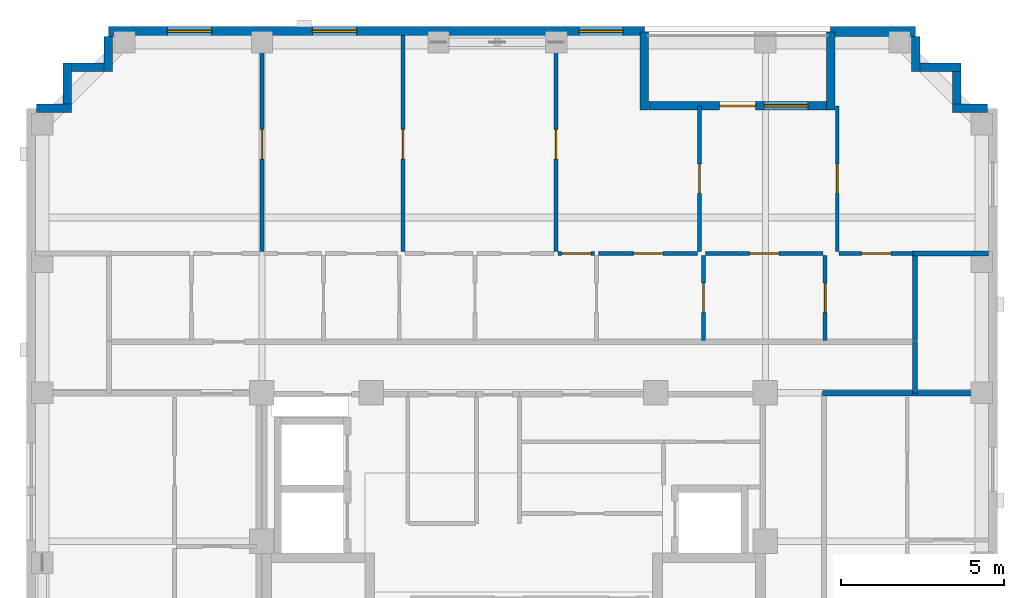
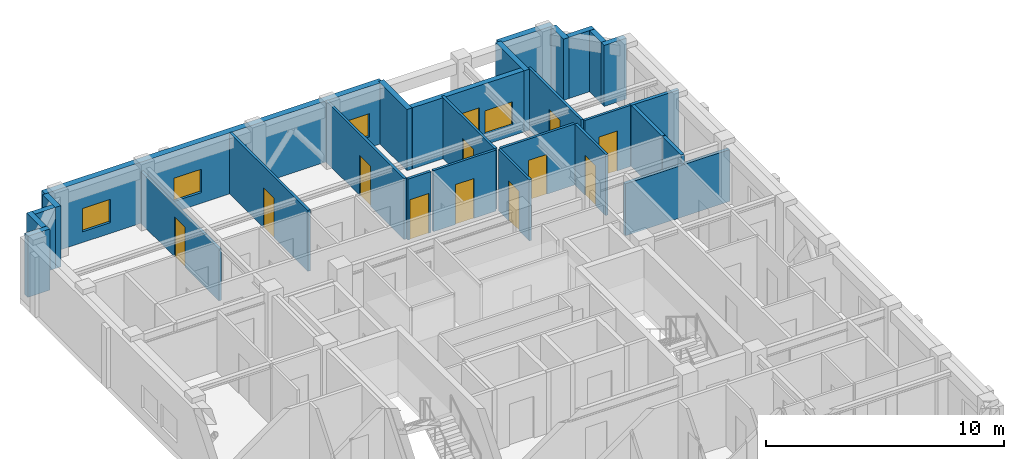
# One storey, part 7 of 11: 28 walls, 12 doors, 4 windows, 16 openings.
"""IFC4 building model written with IfcOpenShell, lengths in metres."""

import ifcopenshell
import ifcopenshell.guid

model = None  # the IFC model being written
_history = None  # IfcOwnerHistory: only IFC2X3 demands one
_inside = {}  # id of a spatial element -> (the spatial element, [elements in it])
_under = {}  # id of a project, library or spatial element -> (it, [spatial elements below it])
_declared = {}  # id of a project -> (the project, [libraries it declares])
_typed = {}  # id of a type object -> (the type object, [elements of that type])
_made_of = {}  # id of a material, layer set ... -> (it, [elements and type objects made of it])


def new_model(schema):
    """Start an empty IFC model of exactly this schema.

    Asked for "IFC4X3", IfcOpenShell would pick the latest addendum, in which some entities
    have other attributes; the version numbers below select the first issue.
    IFC2X3 requires an IfcOwnerHistory on every rooted entity: one is made here for all.
    """
    global model, _history
    if schema == "IFC4X3":
        model = ifcopenshell.file(schema_version=(4, 3, 0, 0))
    else:
        model = ifcopenshell.file(schema=schema)
    _inside.clear()
    _under.clear()
    _declared.clear()
    _typed.clear()
    _made_of.clear()
    _history = None
    if model.schema == "IFC2X3":
        org = make("IfcOrganization", Name="unknown")
        user = make(
            "IfcPersonAndOrganization",
            ThePerson=make("IfcPerson", FamilyName="unknown"),
            TheOrganization=org,
        )
        app = make(
            "IfcApplication",
            ApplicationDeveloper=org,
            Version="unknown",
            ApplicationFullName="unknown",
            ApplicationIdentifier="unknown",
        )
        _history = make(
            "IfcOwnerHistory",
            OwningUser=user,
            OwningApplication=app,
            ChangeAction="ADDED",
            CreationDate=0,
        )
    return model


def make(cls, **values):
    """One entity of the class cls with the attributes given. An attribute that is None is left unset."""
    return model.create_entity(
        cls, **{name: value for name, value in values.items() if value is not None}
    )


def rooted(cls, **values):
    """An entity with a GlobalId (a new one), such as an element, a storey or a relation."""
    return make(cls, GlobalId=ifcopenshell.guid.new(), OwnerHistory=_history, **values)


def si_unit(unit_type, name, prefix=None):
    """IfcSIUnit, for example si_unit("LENGTHUNIT", "METRE", prefix="MILLI")."""
    return make("IfcSIUnit", UnitType=unit_type, Prefix=prefix, Name=name)


def derived_unit(unit_type, elements):
    """IfcDerivedUnit: a product of units, each with its exponent."""
    return make(
        "IfcDerivedUnit",
        Elements=[
            make("IfcDerivedUnitElement", Unit=unit, Exponent=power)
            for unit, power in elements
        ],
        UnitType=unit_type,
    )


def assignment(units):
    """IfcUnitAssignment: the units of a project."""
    return None if units is None else make("IfcUnitAssignment", Units=units)


def point(xyz):
    """IfcCartesianPoint."""
    return None if xyz is None else make("IfcCartesianPoint", Coordinates=xyz)


def direction(xyz):
    """IfcDirection."""
    return None if xyz is None else make("IfcDirection", DirectionRatios=xyz)


def frame(location, z_axis=None, x_axis=None):
    """IfcAxis2Placement3D, a coordinate frame: its origin and axes. An axis left out is left unset."""
    return make(
        "IfcAxis2Placement3D",
        Location=point(location),
        Axis=direction(z_axis),
        RefDirection=direction(x_axis),
    )


def frame_2d(location, x_axis=None):
    """IfcAxis2Placement2D, a coordinate frame in the plane: its origin and x axis."""
    return make(
        "IfcAxis2Placement2D", Location=point(location), RefDirection=direction(x_axis)
    )


def origin():
    """The frame at (0, 0, 0) with its axes left unset."""
    return frame((0.0, 0.0, 0.0))


def place(relative_to, where):
    """IfcLocalPlacement: puts the frame where relative to a parent placement (None: the world)."""
    return make(
        "IfcLocalPlacement", PlacementRelTo=relative_to, RelativePlacement=where
    )


def context(
    kind, dimensions, precision=None, world=None, true_north=None, identifier=None
):
    """IfcGeometricRepresentationContext, for example the 3D "Model" context."""
    return make(
        "IfcGeometricRepresentationContext",
        ContextIdentifier=identifier,
        ContextType=kind,
        CoordinateSpaceDimension=dimensions,
        Precision=precision,
        WorldCoordinateSystem=world,
        TrueNorth=true_north,
    )


def subcontext(parent, identifier, kind, view, scale=None):
    """IfcGeometricRepresentationSubContext, for example "Body" below "Model"."""
    return make(
        "IfcGeometricRepresentationSubContext",
        ContextIdentifier=identifier,
        ContextType=kind,
        ParentContext=parent,
        TargetScale=scale,
        TargetView=view,
    )


def project(units=None, contexts=None):
    """IfcProject with its units and contexts."""
    return rooted(
        "IfcProject",
        Name="project",
        RepresentationContexts=contexts,
        UnitsInContext=assignment(units),
    )


def spatial(cls, under=None, at=None, **own):
    """A site, building, storey or space (cls), placed at a placement, below another one or the project."""
    s = rooted(cls, ObjectPlacement=at, **own)
    if under is not None:
        _under.setdefault(under.id(), (under, []))[1].append(s)
    return s


def profile(cls, at=None, kind="AREA", **sizes):
    """A parametric profile (cls). Its sizes go by their IFC names, for example OverallWidth=200.0."""
    return make(cls, ProfileType=kind, Position=at, **sizes)


def rectangle(**sizes):
    """IfcRectangleProfileDef."""
    return profile("IfcRectangleProfileDef", **sizes)


def extrude(swept, where, along, depth):
    """IfcExtrudedAreaSolid: the profile swept, set in the frame where, extruded along a direction by depth."""
    return make(
        "IfcExtrudedAreaSolid",
        SweptArea=swept,
        Position=where,
        ExtrudedDirection=direction(along),
        Depth=depth,
    )


def shape(context_of_items, identifier, shape_type, items):
    """IfcShapeRepresentation: the items that make up one representation, for example the "Body"."""
    return make(
        "IfcShapeRepresentation",
        ContextOfItems=context_of_items,
        RepresentationIdentifier=identifier,
        RepresentationType=shape_type,
        Items=items,
    )


def material(Name=None, Category=None):
    """IfcMaterial."""
    return make("IfcMaterial", Name=Name, Category=Category)


def layer(
    of_material, thickness, ventilated=None, Name=None, Category=None, Priority=None
):
    """IfcMaterialLayer: one layer of a wall or slab, of a material (None: an air gap)."""
    return make(
        "IfcMaterialLayer",
        Material=of_material,
        LayerThickness=thickness,
        IsVentilated=ventilated,
        Name=Name,
        Category=Category,
        Priority=Priority,
    )


def layer_set(layers, Name=None):
    """IfcMaterialLayerSet."""
    return make("IfcMaterialLayerSet", MaterialLayers=layers, LayerSetName=Name)


def made_of(thing, what):
    """Note that an element or type object is made of a material, layer set ...; save() writes the relation."""
    if what is not None:
        _made_of.setdefault(what.id(), (what, []))[1].append(thing)
    return thing


def type_object(cls, material=None, **own):
    """A type object (cls), such as IfcWallType, which elements share."""
    return made_of(rooted(cls, **own), material)


def element(
    cls,
    number,
    at=None,
    inside=None,
    cuts=None,
    type_object=None,
    material=None,
    context=None,
    identifier="Body",
    shape_type=None,
    held_by="IfcProductDefinitionShape",
    body=None,
    shapes=None,
    **own,
):
    """One element of the class cls, such as IfcWall. Its Tag is "e" and its number.

    at: its placement. inside: the storey or other place that contains it. cuts: it is an
    opening in that element (IfcRelVoidsElement). A single representation is given by context,
    identifier, shape_type and body (its items); several are given by shapes. held_by: the class
    of the entity that holds the representations. save() writes the other relations.
    """
    e = rooted(cls, Tag="e%d" % number, ObjectPlacement=at, **own)
    if body is not None:
        shapes = [shape(context, identifier, shape_type, body)]
    if shapes is not None:
        e.Representation = make(held_by, Representations=shapes)
    if inside is not None:
        _inside.setdefault(inside.id(), (inside, []))[1].append(e)
    if cuts is not None:
        rooted(
            "IfcRelVoidsElement", RelatingBuildingElement=cuts, RelatedOpeningElement=e
        )
    if type_object is not None:
        _typed.setdefault(type_object.id(), (type_object, []))[1].append(e)
    return made_of(e, material)


def fill(opening, filler):
    """IfcRelFillsElement: the door or window that sits in an opening."""
    return rooted(
        "IfcRelFillsElement",
        RelatingOpeningElement=opening,
        RelatedBuildingElement=filler,
    )


def aggregate(whole, parts):
    """IfcRelAggregates: a whole, such as a stair, and the parts it consists of."""
    return rooted("IfcRelAggregates", RelatingObject=whole, RelatedObjects=parts)


def save(model, path):
    """Write the relations noted so far, then the file.

    IfcRelAggregates (storeys below a building ...), IfcRelContainedInSpatialStructure (elements
    in a storey), IfcRelDefinesByType, IfcRelAssociatesMaterial and IfcRelDeclares: one each for
    every whole, place, type object, material and project.
    """
    for whole, parts in _under.values():
        aggregate(whole, parts)
    for where, things in _inside.values():
        rooted(
            "IfcRelContainedInSpatialStructure",
            RelatedElements=things,
            RelatingStructure=where,
        )
    for kind, things in _typed.values():
        rooted("IfcRelDefinesByType", RelatedObjects=things, RelatingType=kind)
    for what, things in _made_of.values():
        rooted("IfcRelAssociatesMaterial", RelatedObjects=things, RelatingMaterial=what)
    for by, libraries in _declared.values():
        rooted("IfcRelDeclares", RelatingContext=by, RelatedDefinitions=libraries)
    model.write(path)


model = new_model("IFC4")

# Units and contexts
model_context = context("Model", 3, precision=1e-05, world=origin(), true_north=direction((0.0, 1.0)))
body_context = subcontext(model_context, "Body", "Model", "MODEL_VIEW")
ifc_project = project(units=[si_unit("LENGTHUNIT", "METRE"), si_unit("AREAUNIT", "SQUARE_METRE"), si_unit("VOLUMEUNIT", "CUBIC_METRE"), si_unit("PLANEANGLEUNIT", "RADIAN"), si_unit("MASSUNIT", "GRAM", prefix="KILO"), derived_unit("THERMALTRANSMITTANCEUNIT", [(si_unit("MASSUNIT", "GRAM", prefix="KILO"), 1), (si_unit("TIMEUNIT", "SECOND"), -3), (si_unit("THERMODYNAMICTEMPERATUREUNIT", "KELVIN"), -1)])], contexts=[model_context])

# Site, building, storey
site_placement = place(None, origin())
site = spatial("IfcSite", under=ifc_project, at=site_placement, CompositionType="ELEMENT")
building_placement = place(site_placement, origin())
building = spatial("IfcBuilding", under=site, at=building_placement, Name="Korrvale Station Residences", CompositionType="ELEMENT")
storey_placement = place(building_placement, frame((0.0, 0.0, 241.10009765625)))
storey = spatial("IfcBuildingStorey", under=building, at=storey_placement, Name="L70", CompositionType="ELEMENT", Elevation=241.10009765625)

# Wall
ifc_material_1 = material(Name="Precast concrete C45/55", Category="concrete")
ifc_layer_1 = layer(ifc_material_1, 0.260009765625, Name="Precast concrete C45/55")
ifc_layer_set_1 = layer_set([ifc_layer_1], Name="Precast concrete C45/55")
wall_type_1 = type_object("IfcWallType", Name="WAL-EXT-LOG260", PredefinedType="SOLIDWALL", material=ifc_layer_set_1)
wall_1_placement = place(storey_placement, frame((29.5, 40.0400390625, 0.0), z_axis=(0.0, 0.0, 1.0), x_axis=(0.0, -1.0, 0.0)))
element("IfcWall", 1, at=wall_1_placement, inside=storey, type_object=wall_type_1, Name="L70 Recessed Loggia Wall BAL-L70-N1-L", PredefinedType="SOLIDWALL", context=body_context, shape_type="SweptSolid", body=[
    extrude(rectangle(XDim=2.400146484375, YDim=0.260009765625, at=frame_2d((1.2001953125, 0.0))), origin(), (0.0, 0.0, 1.0), 3.139892578125),
])

# Wall, openings, door, window
wall_2_placement = place(storey_placement, frame((29.634033203125, 37.77001953125, 0.0), z_axis=(0.0, 0.0, 1.0), x_axis=(1.0, 0.0, 0.0)))
wall_2 = element("IfcWall", 2, at=wall_2_placement, inside=storey, type_object=wall_type_1, Name="L70 Recessed Loggia Wall BAL-L70-N1-B", PredefinedType="SOLIDWALL", context=body_context, shape_type="SweptSolid", body=[
    extrude(rectangle(XDim=5.431884765625, YDim=0.260009765625, at=frame_2d((2.7158203125, 0.0))), origin(), (0.0, 0.0, 1.0), 3.139892578125),
])
opening_1_placement = place(wall_2_placement, frame((2.166015625, 0.0, 0.0)))
opening_1 = element("IfcOpeningElement", 3, at=opening_1_placement, cuts=wall_2, Name="Opening BD-01", PredefinedType="OPENING", context=body_context, shape_type="SweptSolid", body=[
    extrude(rectangle(XDim=1.10009765625, YDim=2.0, at=frame_2d((0.550048828125, 1.0))), frame((0.0, 0.14013671875, 0.0), z_axis=(0.0, -1.0, 0.0), x_axis=(1.0, 0.0, 0.0)), (0.0, 0.0, 1.0), 0.280029296875),
])
opening_2_placement = place(wall_2_placement, frame((3.52587890625, 0.0, 0.550048828125)))
opening_2 = element("IfcOpeningElement", 4, at=opening_2_placement, cuts=wall_2, Name="Opening W-10", PredefinedType="OPENING", context=body_context, shape_type="SweptSolid", body=[
    extrude(rectangle(XDim=1.35009765625, YDim=1.199951171875, at=frame_2d((0.675048828125, 0.60009765625))), frame((0.0, 0.14013671875, 0.0), z_axis=(0.0, -1.0, 0.0), x_axis=(1.0, 0.0, 0.0)), (0.0, 0.0, 1.0), 0.280029296875),
])
ifc_material_2 = material(Name="Exterior thermally broken aluminium glazed balcony door", Category="aluminium")
door_type_1 = type_object("IfcDoorType", Name="DR-EXT-BAL", OperationType="NOTDEFINED", PredefinedType="DOOR", material=ifc_material_2)
door_1_placement = place(opening_1_placement, origin())
door_1 = element("IfcDoor", 5, at=door_1_placement, inside=storey, type_object=door_type_1, Name="L70 Loggia Balcony Door BAL-L70-N1", OperationType="SINGLE_SWING_LEFT", OverallHeight=2.0, OverallWidth=1.10009765625, PredefinedType="DOOR", context=body_context, shape_type="SweptSolid", body=[
    extrude(rectangle(XDim=1.10009765625, YDim=2.0, at=frame_2d((0.550048828125, 1.0))), frame((0.0, 0.02490234375, 0.0), z_axis=(0.0, -1.0, 0.0), x_axis=(1.0, 0.0, 0.0)), (0.0, 0.0, 1.0), 0.050048828125),
])
fill(opening_1, door_1)
ifc_material_3 = material(Name="Thermally broken aluminium frame with triple low-e glazing", Category="aluminium")
window_type = type_object("IfcWindowType", Name="WIN-W10", PartitioningType="SINGLE_PANEL", PredefinedType="WINDOW", material=ifc_material_3)
window_1_placement = place(opening_2_placement, origin())
window_1 = element("IfcWindow", 6, at=window_1_placement, inside=storey, type_object=window_type, Name="L70 Punched Window 09", OverallHeight=1.199951171875, OverallWidth=1.35009765625, PartitioningType="SINGLE_PANEL", PredefinedType="WINDOW", context=body_context, shape_type="SweptSolid", body=[
    extrude(rectangle(XDim=1.35009765625, YDim=1.199951171875, at=frame_2d((0.675048828125, 0.60009765625))), frame((0.0, 0.030029296875, 0.0), z_axis=(0.0, -1.0, 0.0), x_axis=(1.0, 0.0, 0.0)), (0.0, 0.0, 1.0), 0.06005859375),
])
fill(opening_2, window_1)

# Walls
wall_3_placement = place(storey_placement, frame((35.199951171875, 37.639892578125, 0.0), z_axis=(0.0, 0.0, 1.0), x_axis=(0.0, 1.0, 0.0)))
element("IfcWall", 7, at=wall_3_placement, inside=storey, type_object=wall_type_1, Name="L70 Recessed Loggia Wall BAL-L70-N1-R", PredefinedType="SOLIDWALL", context=body_context, shape_type="SweptSolid", body=[
    extrude(rectangle(XDim=2.400146484375, YDim=0.260009765625, at=frame_2d((1.2001953125, 0.0))), origin(), (0.0, 0.0, 1.0), 3.139892578125),
])
wall_4_placement = place(storey_placement, frame((10.902099609375, 37.699951171875, 0.0), z_axis=(0.0, 0.0, 1.0), x_axis=(1.0, 0.0, 0.0)))
element("IfcWall", 8, at=wall_4_placement, inside=storey, type_object=wall_type_1, Name="L70 Serrated Corner Precast Step NW-1", PredefinedType="SOLIDWALL", context=body_context, shape_type="SweptSolid", body=[
    extrude(rectangle(XDim=1.077880859375, YDim=0.260009765625, at=frame_2d((0.5390625, 0.0))), origin(), (0.0, 0.0, 1.0), 3.139892578125),
])
wall_5_placement = place(storey_placement, frame((11.85009765625, 37.83203125, 0.0), z_axis=(0.0, 0.0, 1.0), x_axis=(0.0, 1.0, 0.0)))
element("IfcWall", 9, at=wall_5_placement, inside=storey, type_object=wall_type_1, Name="L70 Serrated Corner Precast Step NW-2", PredefinedType="SOLIDWALL", context=body_context, shape_type="SweptSolid", body=[
    extrude(rectangle(XDim=1.248046875, YDim=0.260009765625, at=frame_2d((0.6240234375, 0.0))), origin(), (0.0, 0.0, 1.0), 3.139892578125),
])
wall_6_placement = place(storey_placement, frame((11.98193359375, 38.949951171875, 0.0), z_axis=(0.0, 0.0, 1.0), x_axis=(1.0, 0.0, 0.0)))
element("IfcWall", 10, at=wall_6_placement, inside=storey, type_object=wall_type_1, Name="L70 Serrated Corner Precast Step NW-3", PredefinedType="SOLIDWALL", context=body_context, shape_type="SweptSolid", body=[
    extrude(rectangle(XDim=0.986083984375, YDim=0.260009765625, at=frame_2d((0.4931640625, 0.0))), origin(), (0.0, 0.0, 1.0), 3.139892578125),
])
for number, where, z_axis, x_axis, name in (
    (11, (13.10009765625, 38.820068359375, 0.0), (0.0, 0.0, 1.0), (0.0, 1.0, 0.0), "L70 Serrated Corner Precast Step NW-4"),
    (12, (37.800048828125, 39.89794921875, 0.0), (0.0, 0.0, 1.0), (0.0, -1.0, 0.0), "L70 Serrated Corner Precast Step NE-1"),
):
    element("IfcWall", number, at=place(storey_placement, frame(where, z_axis=z_axis, x_axis=x_axis)), inside=storey, type_object=wall_type_1, Name=name, PredefinedType="SOLIDWALL", context=body_context, shape_type="SweptSolid", body=[
        extrude(rectangle(XDim=1.077880859375, YDim=0.260009765625, at=frame_2d((0.5390625, 0.0))), origin(), (0.0, 0.0, 1.0), 3.139892578125),
    ])
wall_7_placement = place(storey_placement, frame((37.931884765625, 38.949951171875, 0.0), z_axis=(0.0, 0.0, 1.0), x_axis=(1.0, 0.0, 0.0)))
element("IfcWall", 13, at=wall_7_placement, inside=storey, type_object=wall_type_1, Name="L70 Serrated Corner Precast Step NE-2", PredefinedType="SOLIDWALL", context=body_context, shape_type="SweptSolid", body=[
    extrude(rectangle(XDim=1.248046875, YDim=0.260009765625, at=frame_2d((0.6240234375, 0.0))), origin(), (0.0, 0.0, 1.0), 3.139892578125),
])
wall_8_placement = place(storey_placement, frame((39.050048828125, 38.818115234375, 0.0), z_axis=(0.0, 0.0, 1.0), x_axis=(0.0, -1.0, 0.0)))
element("IfcWall", 14, at=wall_8_placement, inside=storey, type_object=wall_type_1, Name="L70 Serrated Corner Precast Step NE-3", PredefinedType="SOLIDWALL", context=body_context, shape_type="SweptSolid", body=[
    extrude(rectangle(XDim=0.986083984375, YDim=0.260009765625, at=frame_2d((0.4931640625, 0.0))), origin(), (0.0, 0.0, 1.0), 3.139892578125),
])
wall_9_placement = place(storey_placement, frame((38.919921875, 37.699951171875, 0.0), z_axis=(0.0, 0.0, 1.0), x_axis=(1.0, 0.0, 0.0)))
element("IfcWall", 15, at=wall_9_placement, inside=storey, type_object=wall_type_1, Name="L70 Serrated Corner Precast Step NE-4", PredefinedType="SOLIDWALL", context=body_context, shape_type="SweptSolid", body=[
    extrude(rectangle(XDim=1.078125, YDim=0.260009765625, at=frame_2d((0.5390625, 0.0))), origin(), (0.0, 0.0, 1.0), 3.139892578125),
])

# Wall, openings, windows
ifc_layer_2 = layer(ifc_material_1, 0.300048828125, Name="Precast concrete C45/55")
ifc_layer_set_2 = layer_set([ifc_layer_2], Name="Precast concrete C45/55")
wall_type_2 = type_object("IfcWallType", Name="WAL-EXT-PC300", PredefinedType="SOLIDWALL", material=ifc_layer_set_2)
wall_10_placement = place(storey_placement, frame((13.10009765625, 40.050048828125, 0.0), z_axis=(0.0, 0.0, 1.0), x_axis=(1.0, 0.0, 0.0)))
wall_10 = element("IfcWall", 16, at=wall_10_placement, inside=storey, type_object=wall_type_2, Name="L70 North Exterior Precast Wall 1", PredefinedType="SOLIDWALL", context=body_context, shape_type="SweptSolid", body=[
    extrude(rectangle(XDim=16.39990234375, YDim=0.300048828125, at=frame_2d((8.199951171875, 0.0))), origin(), (0.0, 0.0, 1.0), 3.139892578125),
])
opening_3_placement = place(wall_10_placement, frame((1.80810546875, 0.0, 0.550048828125)))
opening_3 = element("IfcOpeningElement", 17, at=opening_3_placement, cuts=wall_10, Name="Opening W-10", PredefinedType="OPENING", context=body_context, shape_type="SweptSolid", body=[
    extrude(rectangle(XDim=1.35009765625, YDim=1.199951171875, at=frame_2d((0.675048828125, 0.60009765625))), frame((0.0, 0.16015625, 0.0), z_axis=(0.0, -1.0, 0.0), x_axis=(1.0, 0.0, 0.0)), (0.0, 0.0, 1.0), 0.320068359375),
])
opening_4_placement = place(wall_10_placement, frame((6.24609375, 0.0, 0.550048828125)))
opening_4 = element("IfcOpeningElement", 18, at=opening_4_placement, cuts=wall_10, Name="Opening W-10", PredefinedType="OPENING", context=body_context, shape_type="SweptSolid", body=[
    extrude(rectangle(XDim=1.35009765625, YDim=1.199951171875, at=frame_2d((0.675048828125, 0.60009765625))), frame((0.0, 0.16015625, 0.0), z_axis=(0.0, -1.0, 0.0), x_axis=(1.0, 0.0, 0.0)), (0.0, 0.0, 1.0), 0.320068359375),
])
opening_5_placement = place(wall_10_placement, frame((14.39990234375, 0.0, 0.550048828125)))
opening_5 = element("IfcOpeningElement", 19, at=opening_5_placement, cuts=wall_10, Name="Opening W-10", PredefinedType="OPENING", context=body_context, shape_type="SweptSolid", body=[
    extrude(rectangle(XDim=1.35009765625, YDim=1.199951171875, at=frame_2d((0.675048828125, 0.60009765625))), frame((0.0, 0.16015625, 0.0), z_axis=(0.0, -1.0, 0.0), x_axis=(1.0, 0.0, 0.0)), (0.0, 0.0, 1.0), 0.320068359375),
])
window_2_placement = place(opening_3_placement, origin())
window_2 = element("IfcWindow", 20, at=window_2_placement, inside=storey, type_object=window_type, Name="L70 Punched Window 06", OverallHeight=1.199951171875, OverallWidth=1.35009765625, PartitioningType="SINGLE_PANEL", PredefinedType="WINDOW", context=body_context, shape_type="SweptSolid", body=[
    extrude(rectangle(XDim=1.35009765625, YDim=1.199951171875, at=frame_2d((0.675048828125, 0.60009765625))), frame((0.0, 0.030029296875, 0.0), z_axis=(0.0, -1.0, 0.0), x_axis=(1.0, 0.0, 0.0)), (0.0, 0.0, 1.0), 0.06005859375),
])
fill(opening_3, window_2)
window_3_placement = place(opening_4_placement, origin())
window_3 = element("IfcWindow", 21, at=window_3_placement, inside=storey, type_object=window_type, Name="L70 Punched Window 07", OverallHeight=1.199951171875, OverallWidth=1.35009765625, PartitioningType="SINGLE_PANEL", PredefinedType="WINDOW", context=body_context, shape_type="SweptSolid", body=[
    extrude(rectangle(XDim=1.35009765625, YDim=1.199951171875, at=frame_2d((0.675048828125, 0.60009765625))), frame((0.0, 0.030029296875, 0.0), z_axis=(0.0, -1.0, 0.0), x_axis=(1.0, 0.0, 0.0)), (0.0, 0.0, 1.0), 0.06005859375),
])
fill(opening_4, window_3)
window_4_placement = place(opening_5_placement, origin())
window_4 = element("IfcWindow", 22, at=window_4_placement, inside=storey, type_object=window_type, Name="L70 Punched Window 08", OverallHeight=1.199951171875, OverallWidth=1.35009765625, PartitioningType="SINGLE_PANEL", PredefinedType="WINDOW", context=body_context, shape_type="SweptSolid", body=[
    extrude(rectangle(XDim=1.35009765625, YDim=1.199951171875, at=frame_2d((0.675048828125, 0.60009765625))), frame((0.0, 0.030029296875, 0.0), z_axis=(0.0, -1.0, 0.0), x_axis=(1.0, 0.0, 0.0)), (0.0, 0.0, 1.0), 0.06005859375),
])
fill(opening_5, window_4)

# Wall
wall_11_placement = place(storey_placement, frame((35.199951171875, 40.050048828125, 0.0), z_axis=(0.0, 0.0, 1.0), x_axis=(1.0, 0.0, 0.0)))
element("IfcWall", 23, at=wall_11_placement, inside=storey, type_object=wall_type_2, Name="L70 North Exterior Precast Wall 2", PredefinedType="SOLIDWALL", context=body_context, shape_type="SweptSolid", body=[
    extrude(rectangle(XDim=2.60009765625, YDim=0.300048828125, at=frame_2d((1.300048828125, 0.0))), origin(), (0.0, 0.0, 1.0), 3.139892578125),
])

# Wall, opening, door
ifc_material_4 = material(Name="Acoustic steel-stud gypsum board partition", Category="steel")
ifc_layer_3 = layer(ifc_material_4, 0.1201171875, Name="Acoustic steel-stud gypsum board partition")
ifc_layer_set_3 = layer_set([ifc_layer_3], Name="Acoustic steel-stud gypsum board partition")
wall_type_3 = type_object("IfcWallType", Name="WAL-PART-125", PredefinedType="PARTITIONING", material=ifc_layer_set_3)
wall_12_placement = place(storey_placement, frame((26.860107421875, 33.260009765625, 0.0), z_axis=(0.0, 0.0, 1.0), x_axis=(1.0, 0.0, 0.0)))
wall_12 = element("IfcWall", 24, at=wall_12_placement, inside=storey, type_object=wall_type_3, Name="L70 Suite Partition U03-H411", PredefinedType="PARTITIONING", context=body_context, shape_type="SweptSolid", body=[
    extrude(rectangle(XDim=1.119873046875, YDim=0.1201171875, at=frame_2d((0.56005859375, 0.0))), origin(), (0.0, 0.0, 1.0), 3.139892578125),
])
opening_6_placement = place(wall_12_placement, frame((0.110107421875, 0.0, 0.0)))
opening_6 = element("IfcOpeningElement", 25, at=opening_6_placement, cuts=wall_12, Name="Opening DI-900", PredefinedType="OPENING", context=body_context, shape_type="SweptSolid", body=[
    extrude(rectangle(XDim=0.89990234375, YDim=2.050048828125, at=frame_2d((0.449951171875, 1.02490234375))), frame((0.0, 0.070068359375, 0.0), z_axis=(0.0, -1.0, 0.0), x_axis=(1.0, 0.0, 0.0)), (0.0, 0.0, 1.0), 0.14013671875),
])
ifc_material_5 = material(Name="Painted solid-core timber interior room door", Category="wood")
door_type_2 = type_object("IfcDoorType", Name="DR-INT-900", OperationType="NOTDEFINED", PredefinedType="DOOR", material=ifc_material_5)
door_2_placement = place(opening_6_placement, origin())
door_2 = element("IfcDoor", 26, at=door_2_placement, inside=storey, type_object=door_type_2, Name="L70 Apartment 3BR L70-U03 Utility and Laundry Room Door", OperationType="SINGLE_SWING_RIGHT", OverallHeight=2.050048828125, OverallWidth=0.89990234375, PredefinedType="DOOR", context=body_context, shape_type="SweptSolid", body=[
    extrude(rectangle(XDim=0.89990234375, YDim=2.050048828125, at=frame_2d((0.449951171875, 1.02490234375))), frame((0.0, 0.02490234375, 0.0), z_axis=(0.0, -1.0, 0.0), x_axis=(1.0, 0.0, 0.0)), (0.0, 0.0, 1.0), 0.050048828125),
])
fill(opening_6, door_2)

wall_13_placement = place(storey_placement, frame((31.31005859375, 30.60009765625, 0.0), z_axis=(0.0, 0.0, 1.0), x_axis=(0.0, 1.0, 0.0)))
wall_13 = element("IfcWall", 27, at=wall_13_placement, inside=storey, type_object=wall_type_3, Name="L70 Suite Partition U03-V56", PredefinedType="PARTITIONING", context=body_context, shape_type="SweptSolid", body=[
    extrude(rectangle(XDim=2.599853515625, YDim=0.1201171875, at=frame_2d((1.2998046875, 0.0))), origin(), (0.0, 0.0, 1.0), 3.139892578125),
])
opening_7_placement = place(wall_13_placement, frame((0.85009765625, 0.0, 0.0)))
opening_7 = element("IfcOpeningElement", 28, at=opening_7_placement, cuts=wall_13, Name="Opening DI-900", PredefinedType="OPENING", context=body_context, shape_type="SweptSolid", body=[
    extrude(rectangle(XDim=0.89990234375, YDim=2.050048828125, at=frame_2d((0.449951171875, 1.02490234375))), frame((0.0, 0.070068359375, 0.0), z_axis=(0.0, -1.0, 0.0), x_axis=(1.0, 0.0, 0.0)), (0.0, 0.0, 1.0), 0.14013671875),
])
door_3_placement = place(opening_7_placement, origin())
door_3 = element("IfcDoor", 29, at=door_3_placement, inside=storey, type_object=door_type_2, Name="L70 Apartment 3BR L70-U03 Storage Closet 2 Door", OperationType="SINGLE_SWING_LEFT", OverallHeight=2.050048828125, OverallWidth=0.89990234375, PredefinedType="DOOR", context=body_context, shape_type="SweptSolid", body=[
    extrude(rectangle(XDim=0.89990234375, YDim=2.050048828125, at=frame_2d((0.449951171875, 1.02490234375))), frame((0.0, 0.02490234375, 0.0), z_axis=(0.0, -1.0, 0.0), x_axis=(1.0, 0.0, 0.0)), (0.0, 0.0, 1.0), 0.050048828125),
])
fill(opening_7, door_3)

wall_14_placement = place(storey_placement, frame((28.10009765625, 33.260009765625, 0.0), z_axis=(0.0, 0.0, 1.0), x_axis=(1.0, 0.0, 0.0)))
wall_14 = element("IfcWall", 30, at=wall_14_placement, inside=storey, type_object=wall_type_3, Name="L70 Suite Partition U03-H511", PredefinedType="PARTITIONING", context=body_context, shape_type="SweptSolid", body=[
    extrude(rectangle(XDim=3.02978515625, YDim=0.1201171875, at=frame_2d((1.514892578125, 0.0))), origin(), (0.0, 0.0, 1.0), 3.139892578125),
])
opening_8_placement = place(wall_14_placement, frame((1.06494140625, 0.0, 0.0)))
opening_8 = element("IfcOpeningElement", 31, at=opening_8_placement, cuts=wall_14, Name="Opening DI-900", PredefinedType="OPENING", context=body_context, shape_type="SweptSolid", body=[
    extrude(rectangle(XDim=0.89990234375, YDim=2.050048828125, at=frame_2d((0.449951171875, 1.02490234375))), frame((0.0, 0.070068359375, 0.0), z_axis=(0.0, -1.0, 0.0), x_axis=(1.0, 0.0, 0.0)), (0.0, 0.0, 1.0), 0.14013671875),
])
door_4_placement = place(opening_8_placement, origin())
door_4 = element("IfcDoor", 32, at=door_4_placement, inside=storey, type_object=door_type_2, Name="L70 Apartment 3BR L70-U03 Storage Closet 2 Door", OperationType="SINGLE_SWING_RIGHT", OverallHeight=2.050048828125, OverallWidth=0.89990234375, PredefinedType="DOOR", context=body_context, shape_type="SweptSolid", body=[
    extrude(rectangle(XDim=0.89990234375, YDim=2.050048828125, at=frame_2d((0.449951171875, 1.02490234375))), frame((0.0, 0.02490234375, 0.0), z_axis=(0.0, -1.0, 0.0), x_axis=(1.0, 0.0, 0.0)), (0.0, 0.0, 1.0), 0.050048828125),
])
fill(opening_8, door_4)

wall_15_placement = place(storey_placement, frame((35.030029296875, 30.60009765625, 0.0), z_axis=(0.0, 0.0, 1.0), x_axis=(0.0, 1.0, 0.0)))
wall_15 = element("IfcWall", 33, at=wall_15_placement, inside=storey, type_object=wall_type_3, Name="L70 Suite Partition U03-V67", PredefinedType="PARTITIONING", context=body_context, shape_type="SweptSolid", body=[
    extrude(rectangle(XDim=2.599853515625, YDim=0.1201171875, at=frame_2d((1.2998046875, 0.0))), origin(), (0.0, 0.0, 1.0), 3.139892578125),
])
opening_9_placement = place(wall_15_placement, frame((0.85009765625, 0.0, 0.0)))
opening_9 = element("IfcOpeningElement", 34, at=opening_9_placement, cuts=wall_15, Name="Opening DI-900", PredefinedType="OPENING", context=body_context, shape_type="SweptSolid", body=[
    extrude(rectangle(XDim=0.89990234375, YDim=2.050048828125, at=frame_2d((0.449951171875, 1.02490234375))), frame((0.0, 0.070068359375, 0.0), z_axis=(0.0, -1.0, 0.0), x_axis=(1.0, 0.0, 0.0)), (0.0, 0.0, 1.0), 0.14013671875),
])
door_5_placement = place(opening_9_placement, origin())
door_5 = element("IfcDoor", 35, at=door_5_placement, inside=storey, type_object=door_type_2, Name="L70 Apartment 3BR L70-U03 Storage Closet 3 Door", OperationType="SINGLE_SWING_LEFT", OverallHeight=2.050048828125, OverallWidth=0.89990234375, PredefinedType="DOOR", context=body_context, shape_type="SweptSolid", body=[
    extrude(rectangle(XDim=0.89990234375, YDim=2.050048828125, at=frame_2d((0.449951171875, 1.02490234375))), frame((0.0, 0.02490234375, 0.0), z_axis=(0.0, -1.0, 0.0), x_axis=(1.0, 0.0, 0.0)), (0.0, 0.0, 1.0), 0.050048828125),
])
fill(opening_9, door_5)

wall_16_placement = place(storey_placement, frame((31.3701171875, 33.260009765625, 0.0), z_axis=(0.0, 0.0, 1.0), x_axis=(1.0, 0.0, 0.0)))
wall_16 = element("IfcWall", 36, at=wall_16_placement, inside=storey, type_object=wall_type_3, Name="L70 Suite Partition U03-H612", PredefinedType="PARTITIONING", context=body_context, shape_type="SweptSolid", body=[
    extrude(rectangle(XDim=3.599853515625, YDim=0.1201171875, at=frame_2d((1.7998046875, 0.0))), origin(), (0.0, 0.0, 1.0), 3.139892578125),
])
opening_10_placement = place(wall_16_placement, frame((1.35009765625, 0.0, 0.0)))
opening_10 = element("IfcOpeningElement", 37, at=opening_10_placement, cuts=wall_16, Name="Opening DI-900", PredefinedType="OPENING", context=body_context, shape_type="SweptSolid", body=[
    extrude(rectangle(XDim=0.89990234375, YDim=2.050048828125, at=frame_2d((0.449951171875, 1.02490234375))), frame((0.0, 0.070068359375, 0.0), z_axis=(0.0, -1.0, 0.0), x_axis=(1.0, 0.0, 0.0)), (0.0, 0.0, 1.0), 0.14013671875),
])
door_6_placement = place(opening_10_placement, origin())
door_6 = element("IfcDoor", 38, at=door_6_placement, inside=storey, type_object=door_type_2, Name="L70 Apartment 3BR L70-U03 Storage Closet 3 Door", OperationType="SINGLE_SWING_RIGHT", OverallHeight=2.050048828125, OverallWidth=0.89990234375, PredefinedType="DOOR", context=body_context, shape_type="SweptSolid", body=[
    extrude(rectangle(XDim=0.89990234375, YDim=2.050048828125, at=frame_2d((0.449951171875, 1.02490234375))), frame((0.0, 0.02490234375, 0.0), z_axis=(0.0, -1.0, 0.0), x_axis=(1.0, 0.0, 0.0)), (0.0, 0.0, 1.0), 0.050048828125),
])
fill(opening_10, door_6)

wall_17_placement = place(storey_placement, frame((35.4599609375, 33.260009765625, 0.0), z_axis=(0.0, 0.0, 1.0), x_axis=(1.0, 0.0, 0.0)))
wall_17 = element("IfcWall", 39, at=wall_17_placement, inside=storey, type_object=wall_type_3, Name="L70 Suite Partition U03-H713", PredefinedType="PARTITIONING", context=body_context, shape_type="SweptSolid", body=[
    extrude(rectangle(XDim=2.260009765625, YDim=0.1201171875, at=frame_2d((1.1298828125, 0.0))), origin(), (0.0, 0.0, 1.0), 3.139892578125),
])
opening_11_placement = place(wall_17_placement, frame((0.679931640625, 0.0, 0.0)))
opening_11 = element("IfcOpeningElement", 40, at=opening_11_placement, cuts=wall_17, Name="Opening DI-900", PredefinedType="OPENING", context=body_context, shape_type="SweptSolid", body=[
    extrude(rectangle(XDim=0.89990234375, YDim=2.050048828125, at=frame_2d((0.449951171875, 1.02490234375))), frame((0.0, 0.070068359375, 0.0), z_axis=(0.0, -1.0, 0.0), x_axis=(1.0, 0.0, 0.0)), (0.0, 0.0, 1.0), 0.14013671875),
])
door_7_placement = place(opening_11_placement, origin())
door_7 = element("IfcDoor", 41, at=door_7_placement, inside=storey, type_object=door_type_2, Name="L70 Apartment 3BR L70-U03 Storage Closet 4 Door", OperationType="SINGLE_SWING_LEFT", OverallHeight=2.050048828125, OverallWidth=0.89990234375, PredefinedType="DOOR", context=body_context, shape_type="SweptSolid", body=[
    extrude(rectangle(XDim=0.89990234375, YDim=2.050048828125, at=frame_2d((0.449951171875, 1.02490234375))), frame((0.0, 0.02490234375, 0.0), z_axis=(0.0, -1.0, 0.0), x_axis=(1.0, 0.0, 0.0)), (0.0, 0.0, 1.0), 0.050048828125),
])
fill(opening_11, door_7)

wall_18_placement = place(storey_placement, frame((17.800048828125, 33.320068359375, 0.0), z_axis=(0.0, 0.0, 1.0), x_axis=(0.0, 1.0, 0.0)))
wall_18 = element("IfcWall", 42, at=wall_18_placement, inside=storey, type_object=wall_type_3, Name="L70 Suite Partition U03-V89", PredefinedType="PARTITIONING", context=body_context, shape_type="SweptSolid", body=[
    extrude(rectangle(XDim=6.599853515625, YDim=0.1201171875, at=frame_2d((3.2998046875, 0.0))), origin(), (0.0, 0.0, 1.0), 2.66796875),
])
opening_12_placement = place(wall_18_placement, frame((2.8349609375, 0.0, 0.0)))
opening_12 = element("IfcOpeningElement", 43, at=opening_12_placement, cuts=wall_18, Name="Opening DI-900", PredefinedType="OPENING", context=body_context, shape_type="SweptSolid", body=[
    extrude(rectangle(XDim=0.89990234375, YDim=2.050048828125, at=frame_2d((0.449951171875, 1.02490234375))), frame((0.0, 0.070068359375, 0.0), z_axis=(0.0, -1.0, 0.0), x_axis=(1.0, 0.0, 0.0)), (0.0, 0.0, 1.0), 0.14013671875),
])
door_8_placement = place(opening_12_placement, origin())
door_8 = element("IfcDoor", 44, at=door_8_placement, inside=storey, type_object=door_type_2, Name="L70 Apartment 3BR L70-U03 Living and Dining Room Door", OperationType="SINGLE_SWING_RIGHT", OverallHeight=2.050048828125, OverallWidth=0.89990234375, PredefinedType="DOOR", context=body_context, shape_type="SweptSolid", body=[
    extrude(rectangle(XDim=0.89990234375, YDim=2.050048828125, at=frame_2d((0.449951171875, 1.02490234375))), frame((0.0, 0.02490234375, 0.0), z_axis=(0.0, -1.0, 0.0), x_axis=(1.0, 0.0, 0.0)), (0.0, 0.0, 1.0), 0.050048828125),
])
fill(opening_12, door_8)

wall_19_placement = place(storey_placement, frame((22.1201171875, 33.320068359375, 0.0), z_axis=(0.0, 0.0, 1.0), x_axis=(0.0, 1.0, 0.0)))
wall_19 = element("IfcWall", 45, at=wall_19_placement, inside=storey, type_object=wall_type_3, Name="L70 Suite Partition U03-V910", PredefinedType="PARTITIONING", context=body_context, shape_type="SweptSolid", body=[
    extrude(rectangle(XDim=6.599853515625, YDim=0.1201171875, at=frame_2d((3.2998046875, 0.0))), origin(), (0.0, 0.0, 1.0), 3.139892578125),
])
opening_13_placement = place(wall_19_placement, frame((2.8349609375, 0.0, 0.0)))
opening_13 = element("IfcOpeningElement", 46, at=opening_13_placement, cuts=wall_19, Name="Opening DI-900", PredefinedType="OPENING", context=body_context, shape_type="SweptSolid", body=[
    extrude(rectangle(XDim=0.89990234375, YDim=2.050048828125, at=frame_2d((0.449951171875, 1.02490234375))), frame((0.0, 0.070068359375, 0.0), z_axis=(0.0, -1.0, 0.0), x_axis=(1.0, 0.0, 0.0)), (0.0, 0.0, 1.0), 0.14013671875),
])
door_9_placement = place(opening_13_placement, origin())
door_9 = element("IfcDoor", 47, at=door_9_placement, inside=storey, type_object=door_type_2, Name="L70 Apartment 3BR L70-U03 Formal Dining Room Door", OperationType="SINGLE_SWING_LEFT", OverallHeight=2.050048828125, OverallWidth=0.89990234375, PredefinedType="DOOR", context=body_context, shape_type="SweptSolid", body=[
    extrude(rectangle(XDim=0.89990234375, YDim=2.050048828125, at=frame_2d((0.449951171875, 1.02490234375))), frame((0.0, 0.02490234375, 0.0), z_axis=(0.0, -1.0, 0.0), x_axis=(1.0, 0.0, 0.0)), (0.0, 0.0, 1.0), 0.050048828125),
])
fill(opening_13, door_9)

wall_20_placement = place(storey_placement, frame((26.800048828125, 33.320068359375, 0.0), z_axis=(0.0, 0.0, 1.0), x_axis=(0.0, 1.0, 0.0)))
wall_20 = element("IfcWall", 48, at=wall_20_placement, inside=storey, type_object=wall_type_3, Name="L70 Suite Partition U03-V1011", PredefinedType="PARTITIONING", context=body_context, shape_type="SweptSolid", body=[
    extrude(rectangle(XDim=6.599853515625, YDim=0.1201171875, at=frame_2d((3.2998046875, 0.0))), origin(), (0.0, 0.0, 1.0), 3.139892578125),
])
opening_14_placement = place(wall_20_placement, frame((2.8349609375, 0.0, 0.0)))
opening_14 = element("IfcOpeningElement", 49, at=opening_14_placement, cuts=wall_20, Name="Opening DI-900", PredefinedType="OPENING", context=body_context, shape_type="SweptSolid", body=[
    extrude(rectangle(XDim=0.89990234375, YDim=2.050048828125, at=frame_2d((0.449951171875, 1.02490234375))), frame((0.0, 0.070068359375, 0.0), z_axis=(0.0, -1.0, 0.0), x_axis=(1.0, 0.0, 0.0)), (0.0, 0.0, 1.0), 0.14013671875),
])
door_10_placement = place(opening_14_placement, origin())
door_10 = element("IfcDoor", 50, at=door_10_placement, inside=storey, type_object=door_type_2, Name="L70 Apartment 3BR L70-U03 Wardrobe Storage Room Door", OperationType="SINGLE_SWING_RIGHT", OverallHeight=2.050048828125, OverallWidth=0.89990234375, PredefinedType="DOOR", context=body_context, shape_type="SweptSolid", body=[
    extrude(rectangle(XDim=0.89990234375, YDim=2.050048828125, at=frame_2d((0.449951171875, 1.02490234375))), frame((0.0, 0.02490234375, 0.0), z_axis=(0.0, -1.0, 0.0), x_axis=(1.0, 0.0, 0.0)), (0.0, 0.0, 1.0), 0.050048828125),
])
fill(opening_14, door_10)

wall_21_placement = place(storey_placement, frame((31.18994140625, 33.320068359375, 0.0), z_axis=(0.0, 0.0, 1.0), x_axis=(0.0, 1.0, 0.0)))
wall_21 = element("IfcWall", 51, at=wall_21_placement, inside=storey, type_object=wall_type_3, Name="L70 Suite Partition U03-V1112", PredefinedType="PARTITIONING", context=body_context, shape_type="SweptSolid", body=[
    extrude(rectangle(XDim=4.449951171875, YDim=0.1201171875, at=frame_2d((2.22509765625, 0.0))), origin(), (0.0, 0.0, 1.0), 3.139892578125),
])
opening_15_placement = place(wall_21_placement, frame((1.77490234375, 0.0, 0.0)))
opening_15 = element("IfcOpeningElement", 52, at=opening_15_placement, cuts=wall_21, Name="Opening DI-900", PredefinedType="OPENING", context=body_context, shape_type="SweptSolid", body=[
    extrude(rectangle(XDim=0.89990234375, YDim=2.050048828125, at=frame_2d((0.449951171875, 1.02490234375))), frame((0.0, 0.070068359375, 0.0), z_axis=(0.0, -1.0, 0.0), x_axis=(1.0, 0.0, 0.0)), (0.0, 0.0, 1.0), 0.14013671875),
])
door_11_placement = place(opening_15_placement, origin())
door_11 = element("IfcDoor", 53, at=door_11_placement, inside=storey, type_object=door_type_2, Name="L70 Apartment 3BR L70-U03 Bedroom 1 Door", OperationType="SINGLE_SWING_LEFT", OverallHeight=2.050048828125, OverallWidth=0.89990234375, PredefinedType="DOOR", context=body_context, shape_type="SweptSolid", body=[
    extrude(rectangle(XDim=0.89990234375, YDim=2.050048828125, at=frame_2d((0.449951171875, 1.02490234375))), frame((0.0, 0.02490234375, 0.0), z_axis=(0.0, -1.0, 0.0), x_axis=(1.0, 0.0, 0.0)), (0.0, 0.0, 1.0), 0.050048828125),
])
fill(opening_15, door_11)

wall_22_placement = place(storey_placement, frame((35.39990234375, 33.320068359375, 0.0), z_axis=(0.0, 0.0, 1.0), x_axis=(0.0, 1.0, 0.0)))
wall_22 = element("IfcWall", 54, at=wall_22_placement, inside=storey, type_object=wall_type_3, Name="L70 Suite Partition U03-V1213", PredefinedType="PARTITIONING", context=body_context, shape_type="SweptSolid", body=[
    extrude(rectangle(XDim=4.449951171875, YDim=0.1201171875, at=frame_2d((2.22509765625, 0.0))), origin(), (0.0, 0.0, 1.0), 3.139892578125),
])
opening_16_placement = place(wall_22_placement, frame((1.77490234375, 0.0, 0.0)))
opening_16 = element("IfcOpeningElement", 55, at=opening_16_placement, cuts=wall_22, Name="Opening DI-900", PredefinedType="OPENING", context=body_context, shape_type="SweptSolid", body=[
    extrude(rectangle(XDim=0.89990234375, YDim=2.050048828125, at=frame_2d((0.449951171875, 1.02490234375))), frame((0.0, 0.070068359375, 0.0), z_axis=(0.0, -1.0, 0.0), x_axis=(1.0, 0.0, 0.0)), (0.0, 0.0, 1.0), 0.14013671875),
])
door_12_placement = place(opening_16_placement, origin())
door_12 = element("IfcDoor", 56, at=door_12_placement, inside=storey, type_object=door_type_2, Name="L70 Apartment 3BR L70-U03 Bedroom 2 Door", OperationType="SINGLE_SWING_RIGHT", OverallHeight=2.050048828125, OverallWidth=0.89990234375, PredefinedType="DOOR", context=body_context, shape_type="SweptSolid", body=[
    extrude(rectangle(XDim=0.89990234375, YDim=2.050048828125, at=frame_2d((0.449951171875, 1.02490234375))), frame((0.0, 0.02490234375, 0.0), z_axis=(0.0, -1.0, 0.0), x_axis=(1.0, 0.0, 0.0)), (0.0, 0.0, 1.0), 0.050048828125),
])
fill(opening_16, door_12)

# Walls
ifc_material_6 = material(Name="Fire-rated twin-stud gypsum and mineral wool shaftwall assembly", Category="gypsum")
ifc_layer_4 = layer(ifc_material_6, 0.159912109375, Name="Fire-rated twin-stud gypsum and mineral wool shaftwall assembly")
ifc_layer_set_4 = layer_set([ifc_layer_4], Name="Fire-rated twin-stud gypsum and mineral wool shaftwall assembly")
wall_type_4 = type_object("IfcWallType", Name="WAL-PART-200", PredefinedType="PARTITIONING", material=ifc_layer_set_4)
wall_23_placement = place(storey_placement, frame((37.780029296875, 28.97998046875, 0.0), z_axis=(0.0, 0.0, 1.0), x_axis=(0.0, 1.0, 0.0)))
element("IfcWall", 57, at=wall_23_placement, inside=storey, type_object=wall_type_4, Name="L70 Corridor North East Cap", PredefinedType="PARTITIONING", context=body_context, shape_type="SweptSolid", body=[
    extrude(rectangle(XDim=1.580078125, YDim=0.159912109375, at=frame_2d((0.7900390625, 0.0))), origin(), (0.0, 0.0, 1.0), 3.139892578125),
])
wall_24_placement = place(storey_placement, frame((34.949951171875, 28.97998046875, 0.0), z_axis=(0.0, 0.0, 1.0), x_axis=(1.0, 0.0, 0.0)))
element("IfcWall", 58, at=wall_24_placement, inside=storey, type_object=wall_type_4, Name="L70 East Wing North Corridor Wall", PredefinedType="PARTITIONING", context=body_context, shape_type="SweptSolid", body=[
    extrude(rectangle(XDim=5.070068359375, YDim=0.159912109375, at=frame_2d((2.53515625, 0.0))), origin(), (0.0, 0.0, 1.0), 2.66796875),
])
wall_25_placement = place(storey_placement, frame((37.679931640625, 33.260009765625, 0.0), z_axis=(0.0, 0.0, 1.0), x_axis=(1.0, 0.0, 0.0)))
element("IfcWall", 59, at=wall_25_placement, inside=storey, type_object=wall_type_4, Name="L70 Corner Step Wall U03-R", PredefinedType="PARTITIONING", context=body_context, shape_type="SweptSolid", body=[
    extrude(rectangle(XDim=2.340087890625, YDim=0.159912109375, at=frame_2d((1.169921875, 0.0))), origin(), (0.0, 0.0, 1.0), 3.139892578125),
])
wall_26_placement = place(storey_placement, frame((37.780029296875, 30.60009765625, 0.0), z_axis=(0.0, 0.0, 1.0), x_axis=(0.0, 1.0, 0.0)))
element("IfcWall", 60, at=wall_26_placement, inside=storey, type_object=wall_type_4, Name="L70 Corner Step Cheek U03-R", PredefinedType="PARTITIONING", context=body_context, shape_type="SweptSolid", body=[
    extrude(rectangle(XDim=2.659912109375, YDim=0.159912109375, at=frame_2d((1.330078125, 0.0))), origin(), (0.0, 0.0, 1.0), 3.139892578125),
])

save(model, "model.ifc")
